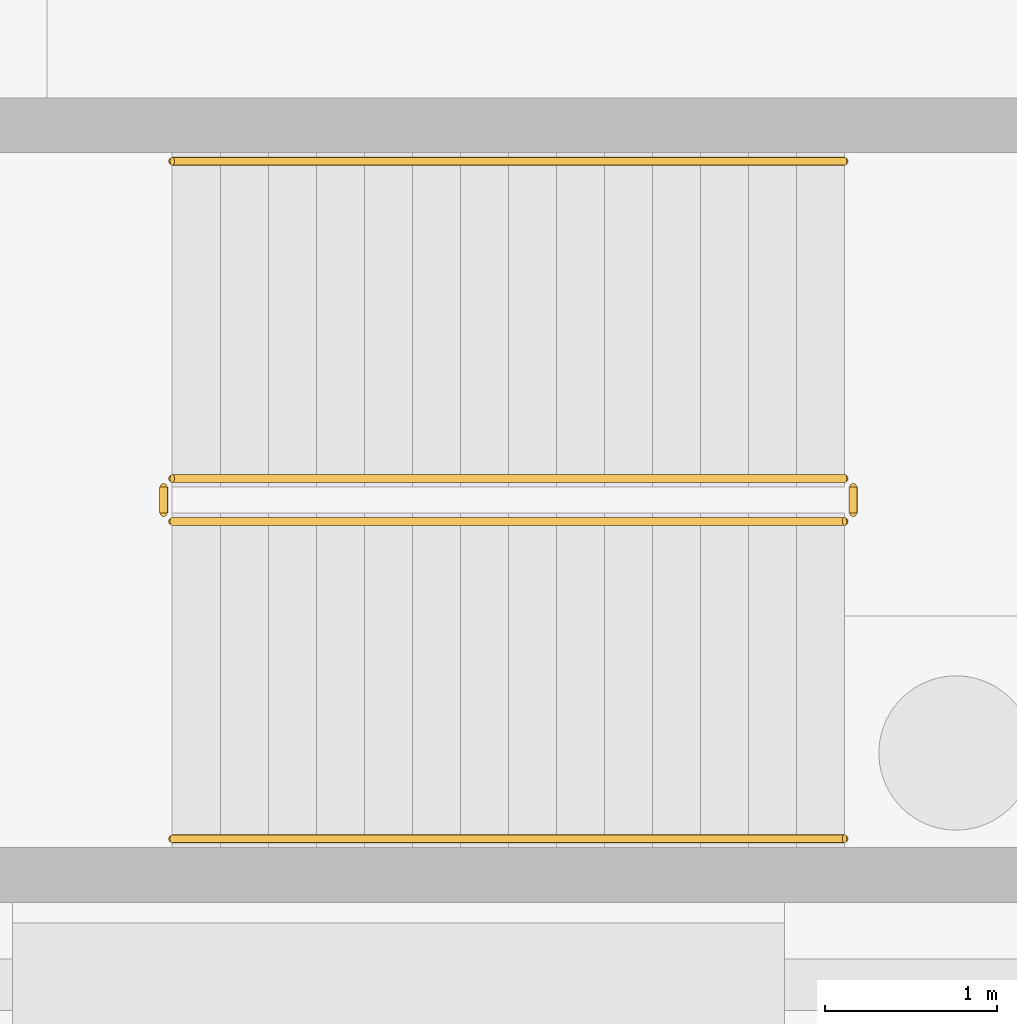
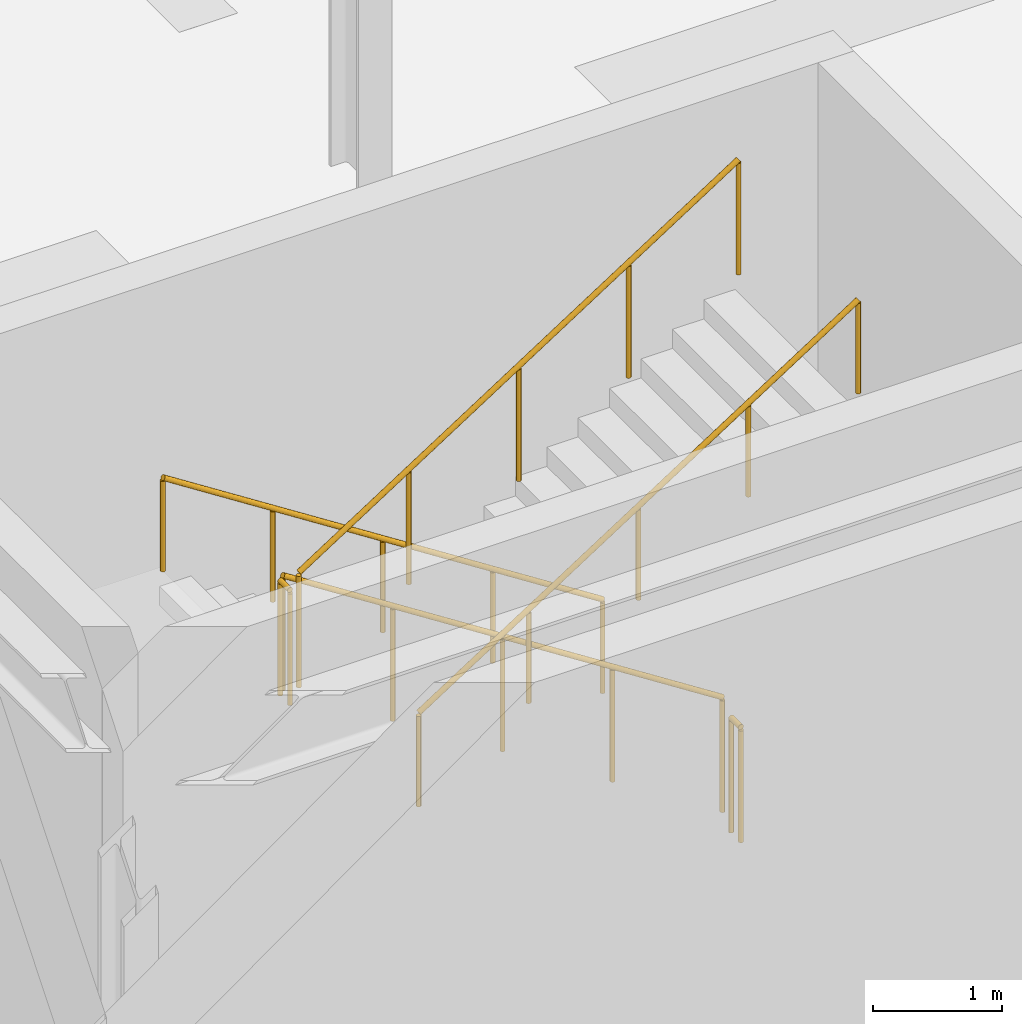
# One storey, part 52 of 65: 6 railings.
"""IFC4 building model written with IfcOpenShell, lengths in metres."""

import ifcopenshell
import ifcopenshell.guid

model = None  # the IFC model being written
_history = None  # IfcOwnerHistory: only IFC2X3 demands one
_inside = {}  # id of a spatial element -> (the spatial element, [elements in it])
_under = {}  # id of a project, library or spatial element -> (it, [spatial elements below it])
_declared = {}  # id of a project -> (the project, [libraries it declares])
_typed = {}  # id of a type object -> (the type object, [elements of that type])
_made_of = {}  # id of a material, layer set ... -> (it, [elements and type objects made of it])


def new_model(schema):
    """Start an empty IFC model of exactly this schema.

    Asked for "IFC4X3", IfcOpenShell would pick the latest addendum, in which some entities
    have other attributes; the version numbers below select the first issue.
    IFC2X3 requires an IfcOwnerHistory on every rooted entity: one is made here for all.
    """
    global model, _history
    if schema == "IFC4X3":
        model = ifcopenshell.file(schema_version=(4, 3, 0, 0))
    else:
        model = ifcopenshell.file(schema=schema)
    _inside.clear()
    _under.clear()
    _declared.clear()
    _typed.clear()
    _made_of.clear()
    _history = None
    if model.schema == "IFC2X3":
        org = make("IfcOrganization", Name="unknown")
        user = make(
            "IfcPersonAndOrganization",
            ThePerson=make("IfcPerson", FamilyName="unknown"),
            TheOrganization=org,
        )
        app = make(
            "IfcApplication",
            ApplicationDeveloper=org,
            Version="unknown",
            ApplicationFullName="unknown",
            ApplicationIdentifier="unknown",
        )
        _history = make(
            "IfcOwnerHistory",
            OwningUser=user,
            OwningApplication=app,
            ChangeAction="ADDED",
            CreationDate=0,
        )
    return model


def make(cls, **values):
    """One entity of the class cls with the attributes given. An attribute that is None is left unset."""
    return model.create_entity(
        cls, **{name: value for name, value in values.items() if value is not None}
    )


def rooted(cls, **values):
    """An entity with a GlobalId (a new one), such as an element, a storey or a relation."""
    return make(cls, GlobalId=ifcopenshell.guid.new(), OwnerHistory=_history, **values)


def si_unit(unit_type, name, prefix=None):
    """IfcSIUnit, for example si_unit("LENGTHUNIT", "METRE", prefix="MILLI")."""
    return make("IfcSIUnit", UnitType=unit_type, Prefix=prefix, Name=name)


def assignment(units):
    """IfcUnitAssignment: the units of a project."""
    return None if units is None else make("IfcUnitAssignment", Units=units)


def point(xyz):
    """IfcCartesianPoint."""
    return None if xyz is None else make("IfcCartesianPoint", Coordinates=xyz)


def direction(xyz):
    """IfcDirection."""
    return None if xyz is None else make("IfcDirection", DirectionRatios=xyz)


def frame(location, z_axis=None, x_axis=None):
    """IfcAxis2Placement3D, a coordinate frame: its origin and axes. An axis left out is left unset."""
    return make(
        "IfcAxis2Placement3D",
        Location=point(location),
        Axis=direction(z_axis),
        RefDirection=direction(x_axis),
    )


def frame_2d(location, x_axis=None):
    """IfcAxis2Placement2D, a coordinate frame in the plane: its origin and x axis."""
    return make(
        "IfcAxis2Placement2D", Location=point(location), RefDirection=direction(x_axis)
    )


def origin():
    """The frame at (0, 0, 0) with its axes left unset."""
    return frame((0.0, 0.0, 0.0))


def origin_2d():
    """The frame at (0, 0) in the plane with its x axis left unset."""
    return frame_2d((0.0, 0.0))


def place(relative_to, where):
    """IfcLocalPlacement: puts the frame where relative to a parent placement (None: the world)."""
    return make(
        "IfcLocalPlacement", PlacementRelTo=relative_to, RelativePlacement=where
    )


def context(
    kind, dimensions, precision=None, world=None, true_north=None, identifier=None
):
    """IfcGeometricRepresentationContext, for example the 3D "Model" context."""
    return make(
        "IfcGeometricRepresentationContext",
        ContextIdentifier=identifier,
        ContextType=kind,
        CoordinateSpaceDimension=dimensions,
        Precision=precision,
        WorldCoordinateSystem=world,
        TrueNorth=true_north,
    )


def subcontext(parent, identifier, kind, view, scale=None):
    """IfcGeometricRepresentationSubContext, for example "Body" below "Model"."""
    return make(
        "IfcGeometricRepresentationSubContext",
        ContextIdentifier=identifier,
        ContextType=kind,
        ParentContext=parent,
        TargetScale=scale,
        TargetView=view,
    )


def project(units=None, contexts=None):
    """IfcProject with its units and contexts."""
    return rooted(
        "IfcProject",
        Name="project",
        RepresentationContexts=contexts,
        UnitsInContext=assignment(units),
    )


def spatial(cls, under=None, at=None, **own):
    """A site, building, storey or space (cls), placed at a placement, below another one or the project."""
    s = rooted(cls, ObjectPlacement=at, **own)
    if under is not None:
        _under.setdefault(under.id(), (under, []))[1].append(s)
    return s


def profile(cls, at=None, kind="AREA", **sizes):
    """A parametric profile (cls). Its sizes go by their IFC names, for example OverallWidth=200.0."""
    return make(cls, ProfileType=kind, Position=at, **sizes)


def circle(**sizes):
    """IfcCircleProfileDef."""
    return profile("IfcCircleProfileDef", **sizes)


def extrude(swept, where, along, depth):
    """IfcExtrudedAreaSolid: the profile swept, set in the frame where, extruded along a direction by depth."""
    return make(
        "IfcExtrudedAreaSolid",
        SweptArea=swept,
        Position=where,
        ExtrudedDirection=direction(along),
        Depth=depth,
    )


def shape(context_of_items, identifier, shape_type, items):
    """IfcShapeRepresentation: the items that make up one representation, for example the "Body"."""
    return make(
        "IfcShapeRepresentation",
        ContextOfItems=context_of_items,
        RepresentationIdentifier=identifier,
        RepresentationType=shape_type,
        Items=items,
    )


def material(Name=None, Category=None):
    """IfcMaterial."""
    return make("IfcMaterial", Name=Name, Category=Category)


def made_of(thing, what):
    """Note that an element or type object is made of a material, layer set ...; save() writes the relation."""
    if what is not None:
        _made_of.setdefault(what.id(), (what, []))[1].append(thing)
    return thing


def type_object(cls, material=None, **own):
    """A type object (cls), such as IfcWallType, which elements share."""
    return made_of(rooted(cls, **own), material)


def element(
    cls,
    number,
    at=None,
    inside=None,
    cuts=None,
    type_object=None,
    material=None,
    context=None,
    identifier="Body",
    shape_type=None,
    held_by="IfcProductDefinitionShape",
    body=None,
    shapes=None,
    **own,
):
    """One element of the class cls, such as IfcWall. Its Tag is "e" and its number.

    at: its placement. inside: the storey or other place that contains it. cuts: it is an
    opening in that element (IfcRelVoidsElement). A single representation is given by context,
    identifier, shape_type and body (its items); several are given by shapes. held_by: the class
    of the entity that holds the representations. save() writes the other relations.
    """
    e = rooted(cls, Tag="e%d" % number, ObjectPlacement=at, **own)
    if body is not None:
        shapes = [shape(context, identifier, shape_type, body)]
    if shapes is not None:
        e.Representation = make(held_by, Representations=shapes)
    if inside is not None:
        _inside.setdefault(inside.id(), (inside, []))[1].append(e)
    if cuts is not None:
        rooted(
            "IfcRelVoidsElement", RelatingBuildingElement=cuts, RelatedOpeningElement=e
        )
    if type_object is not None:
        _typed.setdefault(type_object.id(), (type_object, []))[1].append(e)
    return made_of(e, material)


def aggregate(whole, parts):
    """IfcRelAggregates: a whole, such as a stair, and the parts it consists of."""
    return rooted("IfcRelAggregates", RelatingObject=whole, RelatedObjects=parts)


def save(model, path):
    """Write the relations noted so far, then the file.

    IfcRelAggregates (storeys below a building ...), IfcRelContainedInSpatialStructure (elements
    in a storey), IfcRelDefinesByType, IfcRelAssociatesMaterial and IfcRelDeclares: one each for
    every whole, place, type object, material and project.
    """
    for whole, parts in _under.values():
        aggregate(whole, parts)
    for where, things in _inside.values():
        rooted(
            "IfcRelContainedInSpatialStructure",
            RelatedElements=things,
            RelatingStructure=where,
        )
    for kind, things in _typed.values():
        rooted("IfcRelDefinesByType", RelatedObjects=things, RelatingType=kind)
    for what, things in _made_of.values():
        rooted("IfcRelAssociatesMaterial", RelatedObjects=things, RelatingMaterial=what)
    for by, libraries in _declared.values():
        rooted("IfcRelDeclares", RelatingContext=by, RelatedDefinitions=libraries)
    model.write(path)


model = new_model("IFC4")

# Units and contexts
model_context = context("Model", 3, precision=1e-05, world=origin(), true_north=direction((0.0, 1.0)))
body_context = subcontext(model_context, "Body", "Model", "MODEL_VIEW")
ifc_project = project(units=[si_unit("LENGTHUNIT", "METRE"), si_unit("AREAUNIT", "SQUARE_METRE"), si_unit("VOLUMEUNIT", "CUBIC_METRE"), si_unit("PLANEANGLEUNIT", "RADIAN"), si_unit("MASSUNIT", "GRAM", prefix="KILO")], contexts=[model_context])

# Site, building, storey
site_placement = place(None, origin())
site = spatial("IfcSite", under=ifc_project, at=site_placement, CompositionType="ELEMENT")
building_placement = place(site_placement, origin())
building = spatial("IfcBuilding", under=site, at=building_placement, Name="Kaldris Quays Convention Centre", CompositionType="ELEMENT")
storey_placement = place(building_placement, frame((0.0, 0.0, -5.39990234375)))
storey = spatial("IfcBuildingStorey", under=building, at=storey_placement, Name="B1", CompositionType="ELEMENT", Elevation=-5.39990234375)

# Railings
ifc_material_1 = material(Name="Steel S355J2", Category="steel")
railing_type_1 = type_object("IfcRailingType", Name="INTERIOR GUARDRAIL GR01", PredefinedType="GUARDRAIL", material=ifc_material_1)
railing_1_placement = place(storey_placement, frame((27.0, 18.949951171875, 0.179931640625)))
element("IfcRailing", 1, at=railing_1_placement, inside=storey, type_object=railing_type_1, Name="B1 ST05 Stair Guardrail 1", PredefinedType="GUARDRAIL", context=body_context, shape_type="SweptSolid", body=[
    extrude(circle(Radius=0.02392578125, at=origin_2d()), frame((0.0, 0.0, 1.076171875), z_axis=(-0.841171666519, 0.0, 0.540768182723), x_axis=(0.0, -1.0, 0.0)), (0.0, 0.0, 1.0), 4.66015625),
    extrude(circle(Radius=0.02099609375, at=origin_2d()), origin(), (0.0, 0.0, 1.0), 1.052001953125),
    extrude(circle(Radius=0.02099609375, at=origin_2d()), frame((-0.97998046875, 0.0, 0.6298828125)), (0.0, 0.0, 1.0), 1.052001953125),
    extrude(circle(Radius=0.02099609375, at=origin_2d()), frame((-1.9599609375, 0.0, 1.260009765625)), (0.0, 0.0, 1.0), 1.052001953125),
    extrude(circle(Radius=0.02099609375, at=origin_2d()), frame((-2.93994140625, 0.0, 1.89013671875)), (0.0, 0.0, 1.0), 1.052001953125),
    extrude(circle(Radius=0.02099609375, at=origin_2d()), frame((-3.919921875, 0.0, 2.52001953125)), (0.0, 0.0, 1.0), 1.052001953125),
])
railing_2_placement = place(storey_placement, frame((23.030029296875, 18.89990234375, 2.699951171875)))
element("IfcRailing", 2, at=railing_2_placement, inside=storey, type_object=railing_type_1, Name="B1 ST05 Stair Guardrail 2", PredefinedType="GUARDRAIL", context=body_context, shape_type="SweptSolid", body=[
    extrude(circle(Radius=0.02392578125, at=origin_2d()), frame((0.0, 0.0, 1.076171875), z_axis=(0.0, -1.0, 0.0), x_axis=(1.0, 0.0, 0.0)), (0.0, 0.0, 1.0), 0.14990234375),
    extrude(circle(Radius=0.02099609375, at=origin_2d()), origin(), (0.0, 0.0, 1.0), 1.052001953125),
    extrude(circle(Radius=0.02099609375, at=origin_2d()), frame((0.0, -0.14990234375, 0.0)), (0.0, 0.0, 1.0), 1.052001953125),
])
railing_3_placement = place(storey_placement, frame((23.080078125, 18.699951171875, 2.8798828125)))
element("IfcRailing", 3, at=railing_3_placement, inside=storey, type_object=railing_type_1, Name="B1 ST05 Stair Guardrail 3", PredefinedType="GUARDRAIL", context=body_context, shape_type="SweptSolid", body=[
    extrude(circle(Radius=0.02392578125, at=origin_2d()), frame((0.0, 0.0, 1.076171875), z_axis=(0.841171666519, 0.0, 0.540768182723), x_axis=(0.0, 1.0, 0.0)), (0.0, 0.0, 1.0), 4.66015625),
    extrude(circle(Radius=0.02099609375, at=origin_2d()), origin(), (0.0, 0.0, 1.0), 1.052001953125),
    extrude(circle(Radius=0.02099609375, at=origin_2d()), frame((0.97998046875, 0.0, 0.6298828125)), (0.0, 0.0, 1.0), 1.052001953125),
    extrude(circle(Radius=0.02099609375, at=origin_2d()), frame((1.9599609375, 0.0, 1.260009765625)), (0.0, 0.0, 1.0), 1.052001953125),
    extrude(circle(Radius=0.02099609375, at=origin_2d()), frame((2.93994140625, 0.0, 1.89013671875)), (0.0, 0.0, 1.0), 1.052001953125),
    extrude(circle(Radius=0.02099609375, at=origin_2d()), frame((3.919921875, 0.0, 2.52001953125)), (0.0, 0.0, 1.0), 1.052001953125),
])
railing_4_placement = place(storey_placement, frame((27.050048828125, 18.89990234375, 0.0)))
element("IfcRailing", 4, at=railing_4_placement, inside=storey, type_object=railing_type_1, Name="B1 ST05 Stair Guardrail 4", PredefinedType="GUARDRAIL", context=body_context, shape_type="SweptSolid", body=[
    extrude(circle(Radius=0.02392578125, at=origin_2d()), frame((0.0, 0.0, 1.076171875), z_axis=(0.0, -1.0, 0.0), x_axis=(1.0, 0.0, 0.0)), (0.0, 0.0, 1.0), 0.14990234375),
    extrude(circle(Radius=0.02099609375, at=origin_2d()), origin(), (0.0, 0.0, 1.0), 1.052001953125),
    extrude(circle(Radius=0.02099609375, at=origin_2d()), frame((0.0, -0.14990234375, 0.0)), (0.0, 0.0, 1.0), 1.052001953125),
])
ifc_material_2 = material(Name="Stainless steel 1.4301", Category="steel")
railing_type_2 = type_object("IfcRailingType", Name="STAIR HANDRAIL HR01", PredefinedType="HANDRAIL", material=ifc_material_2)
railing_5_placement = place(storey_placement, frame((27.0, 20.800048828125, 0.179931640625)))
element("IfcRailing", 5, at=railing_5_placement, inside=storey, type_object=railing_type_2, Name="B1 ST05 Flight Handrail 1", PredefinedType="HANDRAIL", context=body_context, shape_type="SweptSolid", body=[
    extrude(circle(Radius=0.02392578125, at=origin_2d()), frame((0.0, 0.0, 0.8759765625), z_axis=(-0.841171666519, 0.0, 0.540768182723), x_axis=(0.0, -1.0, 0.0)), (0.0, 0.0, 1.0), 4.66015625),
    extrude(circle(Radius=0.02099609375, at=origin_2d()), origin(), (0.0, 0.0, 1.0), 0.851806640625),
    extrude(circle(Radius=0.02099609375, at=origin_2d()), frame((-0.97998046875, 0.0, 0.6298828125)), (0.0, 0.0, 1.0), 0.851806640625),
    extrude(circle(Radius=0.02099609375, at=origin_2d()), frame((-1.9599609375, 0.0, 1.260009765625)), (0.0, 0.0, 1.0), 0.851806640625),
    extrude(circle(Radius=0.02099609375, at=origin_2d()), frame((-2.93994140625, 0.0, 1.89013671875)), (0.0, 0.0, 1.0), 0.851806640625),
    extrude(circle(Radius=0.02099609375, at=origin_2d()), frame((-3.919921875, 0.0, 2.52001953125)), (0.0, 0.0, 1.0), 0.851806640625),
])
railing_6_placement = place(storey_placement, frame((23.080078125, 16.85009765625, 2.8798828125)))
element("IfcRailing", 6, at=railing_6_placement, inside=storey, type_object=railing_type_2, Name="B1 ST05 Flight Handrail 2", PredefinedType="HANDRAIL", context=body_context, shape_type="SweptSolid", body=[
    extrude(circle(Radius=0.02392578125, at=origin_2d()), frame((0.0, 0.0, 0.8759765625), z_axis=(0.841171666519, 0.0, 0.540768182723), x_axis=(0.0, 1.0, 0.0)), (0.0, 0.0, 1.0), 4.66015625),
    extrude(circle(Radius=0.02099609375, at=origin_2d()), origin(), (0.0, 0.0, 1.0), 0.851806640625),
    extrude(circle(Radius=0.02099609375, at=origin_2d()), frame((0.97998046875, 0.0, 0.6298828125)), (0.0, 0.0, 1.0), 0.851806640625),
    extrude(circle(Radius=0.02099609375, at=origin_2d()), frame((1.9599609375, 0.0, 1.260009765625)), (0.0, 0.0, 1.0), 0.851806640625),
    extrude(circle(Radius=0.02099609375, at=origin_2d()), frame((2.93994140625, 0.0, 1.89013671875)), (0.0, 0.0, 1.0), 0.851806640625),
    extrude(circle(Radius=0.02099609375, at=origin_2d()), frame((3.919921875, 0.0, 2.52001953125)), (0.0, 0.0, 1.0), 0.851806640625),
])

save(model, "model.ifc")
